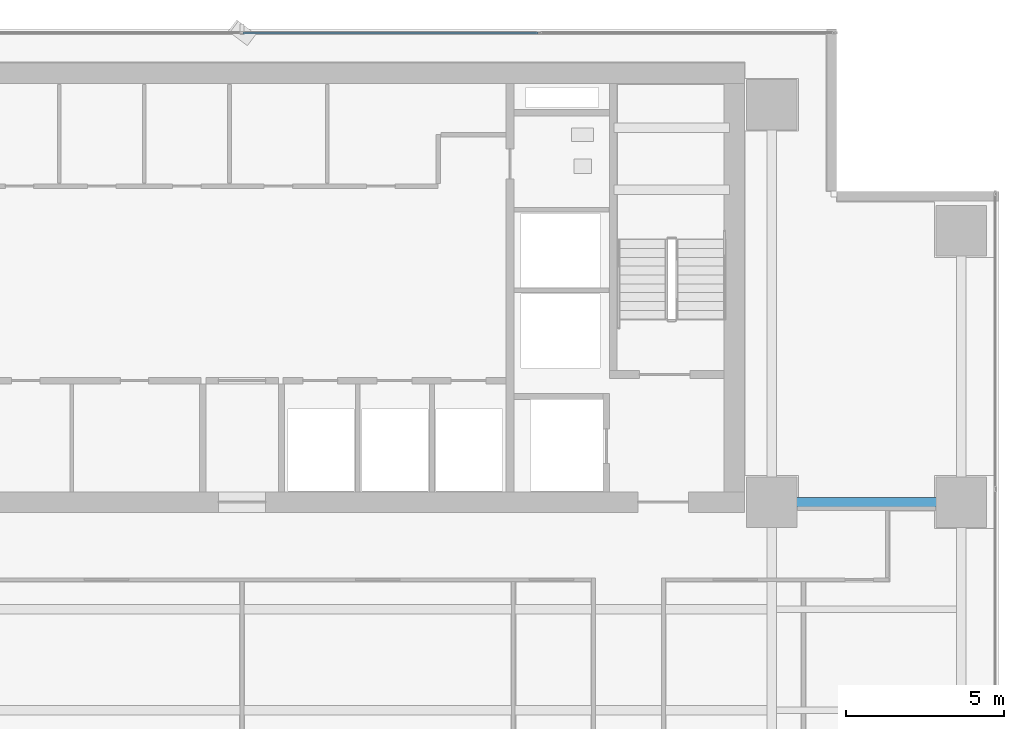
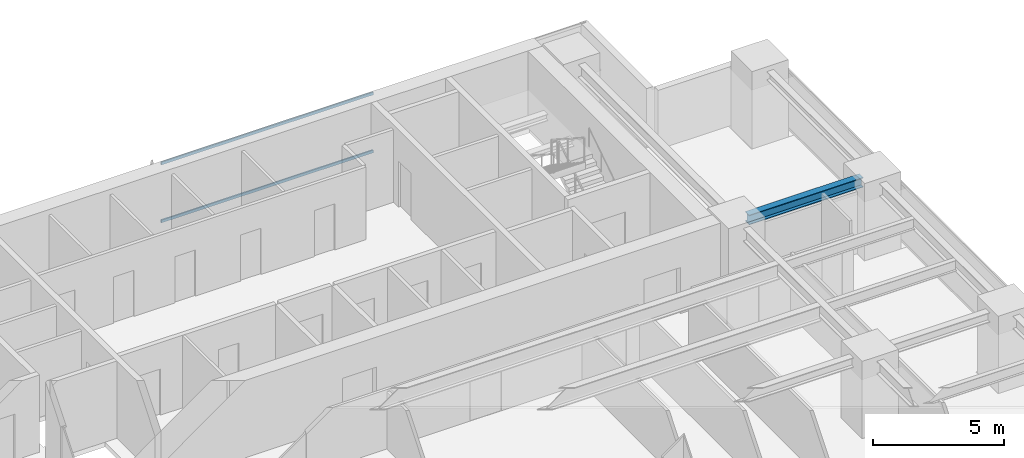
# One storey, part 17 of 28: 2 members, 1 beam, 1 element without a shape of its own.
"""IFC4 building model written with IfcOpenShell, lengths in metres."""

from ifc_helpers import new_model, si_unit, direction, frame, origin, origin_2d, place, context, subcontext, project, spatial, hollow_rectangle, i_section, extrude, source, transform, mapped, material, layer, layer_set, material_profile, profile_set, type_object, element, aggregate, save


model = new_model("IFC4")

# Units and contexts
model_context = context("Model", 3, precision=1e-05, world=origin(), true_north=direction((0.0, 1.0)))
body_context = subcontext(model_context, "Body", "Model", "MODEL_VIEW")
ifc_project = project(units=[si_unit("LENGTHUNIT", "METRE"), si_unit("AREAUNIT", "SQUARE_METRE"), si_unit("VOLUMEUNIT", "CUBIC_METRE"), si_unit("PLANEANGLEUNIT", "RADIAN"), si_unit("MASSUNIT", "GRAM", prefix="KILO")], contexts=[model_context])

# Site, building, storey
site_placement = place(None, origin())
site = spatial("IfcSite", under=ifc_project, at=site_placement, CompositionType="ELEMENT")
building_placement = place(site_placement, origin())
building = spatial("IfcBuilding", under=site, at=building_placement, Name="Sumidabori Civic Tower", CompositionType="ELEMENT")
storey_placement = place(building_placement, frame((0.0, 0.0, 178.39990234375)))
storey = spatial("IfcBuildingStorey", under=building, at=storey_placement, Name="L46", CompositionType="ELEMENT", Elevation=178.39990234375)

# Beam
ifc_material_1 = material(Name="Steel SN490", Category="steel")
ifc_material_profile_1 = material_profile(ifc_material_1, i_section(OverallWidth=0.300048828125, OverallDepth=0.449951171875, WebThickness=0.013916015625, FlangeThickness=0.02587890625, at=origin_2d()), Name="HE 450 B")
ifc_profile_set_1 = profile_set([ifc_material_profile_1], Name="Steel SN490")
beam_type = type_object("IfcBeamType", Name="BM-GIRD-450", PredefinedType="BEAM", material=ifc_profile_set_1)
shared_shape_1 = source(origin(), body_context, "Body", "SweptSolid", [
    extrude(i_section(OverallWidth=0.300048828125, OverallDepth=0.449951171875, WebThickness=0.013916015625, FlangeThickness=0.02587890625, at=origin_2d()), origin(), (0.0, 0.0, 1.0), 5.0400390625),
])
beam_placement = place(storey_placement, frame((17.280029296875, 10.199951171875, 3.155029296875), z_axis=(1.0, 0.0, 0.0), x_axis=(0.0, 1.0, 0.0)))
element("IfcBeam", 1, at=beam_placement, inside=storey, type_object=beam_type, Name="Primary Girder L46 GX-18", PredefinedType="BEAM", context=body_context, shape_type="MappedRepresentation", body=[
    mapped(shared_shape_1, transform((0.0, 0.0, 0.0), x_axis=(1.0, 0.0, 0.0), y_axis=(0.0, 1.0, 0.0), z_axis=(0.0, 0.0, 1.0), scale=1.0)),
])

# Curtain wall, members
ifc_material_2 = material(Name="Anodised Bronze Aluminium AW-6063-T6", Category="aluminium")
ifc_layer = layer(ifc_material_2, 0.179931640625, Name="Anodised Bronze Aluminium AW-6063-T6")
ifc_layer_set = layer_set([ifc_layer], Name="Anodised Bronze Aluminium AW-6063-T6")
curtain_wall_type = type_object("IfcCurtainWallType", Name="CW-SYS-3", PredefinedType="NOTDEFINED", material=ifc_layer_set)
curtain_wall_placement = place(storey_placement, origin())
curtain_wall = element("IfcCurtainWall", 2, at=curtain_wall_placement, inside=storey, type_object=curtain_wall_type, Name="Curtain Wall CW:L46:R07", PredefinedType="NOTDEFINED")
ifc_material_profile_2 = material_profile(ifc_material_2, hollow_rectangle(XDim=0.06005859375, YDim=0.1298828125, WallThickness=0.0048828125, at=origin_2d()), Name="ALU TRANSOM 130x60")
ifc_profile_set_2 = profile_set([ifc_material_profile_2], Name="Anodised Bronze Aluminium AW-6063-T6")
member_type = type_object("IfcMemberType", Name="CW-TRN-130", PredefinedType="USERDEFINED", material=ifc_profile_set_2)
shared_shape_2 = source(origin(), body_context, "Body", "SweptSolid", [
    extrude(hollow_rectangle(XDim=0.06005859375, YDim=0.1298828125, WallThickness=0.0048828125, at=origin_2d()), origin(), (0.0, 0.0, 1.0), 9.344970703125),
])
member_1_placement = place(storey_placement, frame((9.37744140625, 25.080078125, 0.030029296875), z_axis=(-1.0, 0.0, 0.0), x_axis=(0.0, -1.0, 0.0)))
member_1 = element("IfcMember", 3, at=member_1_placement, type_object=member_type, Name="CW-3 transom 2.1", ObjectType="TRANSOM", PredefinedType="USERDEFINED", context=body_context, shape_type="MappedRepresentation", body=[
    mapped(shared_shape_2, transform((0.0, 0.0, 0.0), x_axis=(1.0, 0.0, 0.0), y_axis=(0.0, 1.0, 0.0), z_axis=(0.0, 0.0, 1.0), scale=1.0)),
])
member_2_placement = place(storey_placement, frame((9.37744140625, 25.080078125, 2.72998046875), z_axis=(-1.0, 0.0, 0.0), x_axis=(0.0, -1.0, 0.0)))
member_2 = element("IfcMember", 4, at=member_2_placement, type_object=member_type, Name="CW-3 transom 2.2", ObjectType="TRANSOM", PredefinedType="USERDEFINED", context=body_context, shape_type="MappedRepresentation", body=[
    mapped(shared_shape_2, transform((0.0, 0.0, 0.0), x_axis=(1.0, 0.0, 0.0), y_axis=(0.0, 1.0, 0.0), z_axis=(0.0, 0.0, 1.0), scale=1.0)),
])
aggregate(curtain_wall, [member_1, member_2])

save(model, "model.ifc")
